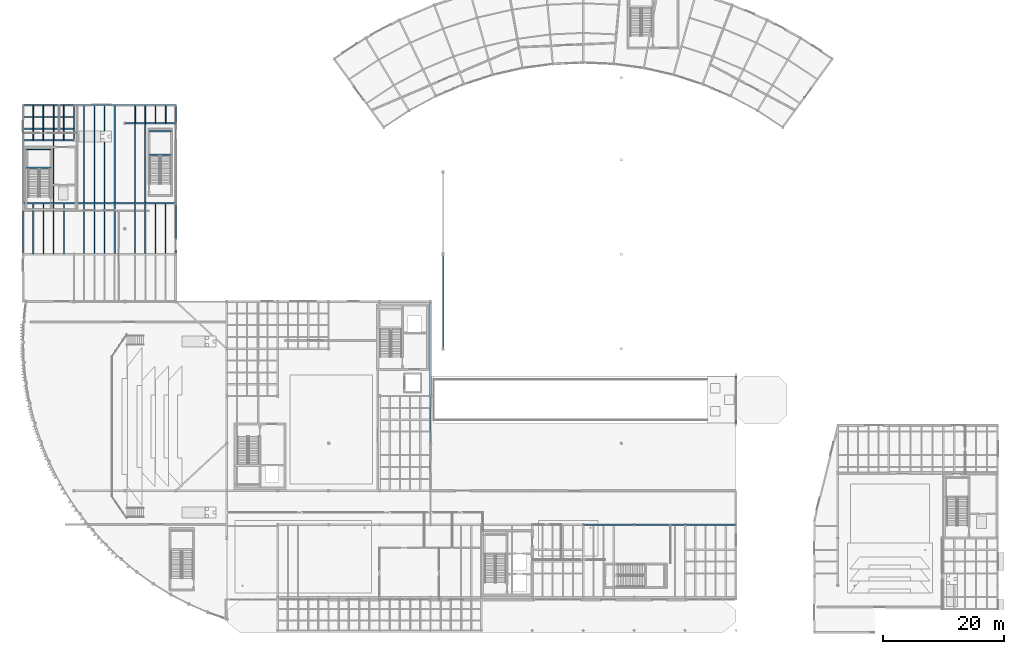
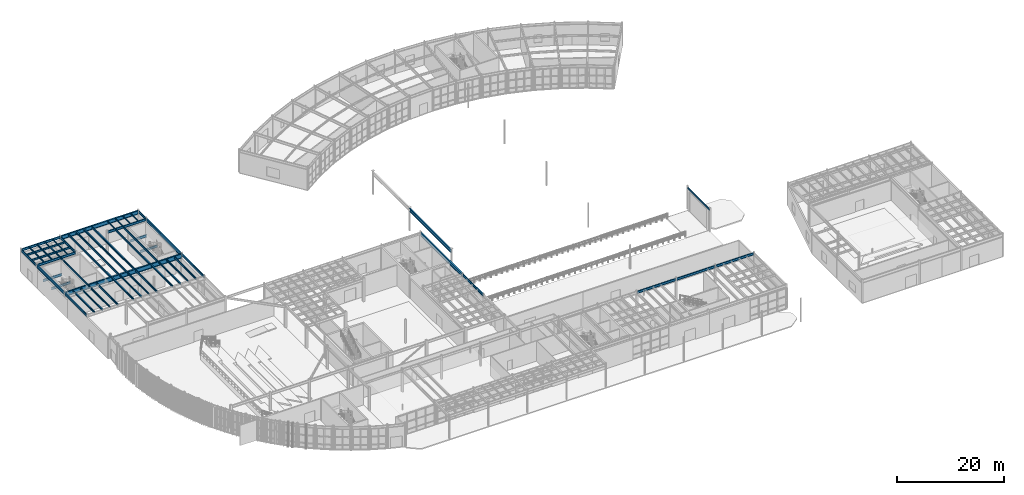
# One storey, part 41 of 87: 52 beams.
"""IFC4 building model written with IfcOpenShell, lengths in metres."""

from ifc_helpers import new_model, si_unit, direction, frame, origin, origin_2d, place, context, subcontext, project, spatial, hollow_rectangle, i_section, extrude, material, material_profile, profile_set, type_object, element, save


model = new_model("IFC4")

# Units and contexts
model_context = context("Model", 3, precision=1e-05, world=origin(), true_north=direction((0.0, 1.0)))
body_context = subcontext(model_context, "Body", "Model", "MODEL_VIEW")
ifc_project = project(units=[si_unit("LENGTHUNIT", "METRE"), si_unit("AREAUNIT", "SQUARE_METRE"), si_unit("VOLUMEUNIT", "CUBIC_METRE"), si_unit("PLANEANGLEUNIT", "RADIAN"), si_unit("MASSUNIT", "GRAM", prefix="KILO")], contexts=[model_context])

# Site, building, storey
site_placement = place(None, origin())
site = spatial("IfcSite", under=ifc_project, at=site_placement, CompositionType="ELEMENT")
building_placement = place(site_placement, origin())
building = spatial("IfcBuilding", under=site, at=building_placement, Name="Selat Folded Stagehouse", CompositionType="ELEMENT")
storey_placement = place(building_placement, origin())
storey = spatial("IfcBuildingStorey", under=building, at=storey_placement, Name="L00", CompositionType="ELEMENT", Elevation=0.0)

# Beams
ifc_material_1 = material(Name="Steel S355", Category="steel")
ifc_material_profile_1 = material_profile(ifc_material_1, i_section(OverallWidth=0.210693359375, OverallDepth=0.53955078125, WebThickness=0.01171875, FlangeThickness=0.018798828125, FilletRadius=0.0126953125, at=origin_2d()), Name="UKB 533x210x109")
ifc_profile_set_1 = profile_set([ifc_material_profile_1], Name="Steel S355")
beam_type_1 = type_object("IfcBeamType", Name="BM-GIRD-533x210x109", PredefinedType="BEAM", material=ifc_profile_set_1)
beam_1_placement = place(storey_placement, frame((0.0, 62.47998046875, 4.900146484375), z_axis=(0.0, 1.0, 0.0), x_axis=(-1.0, 0.0, 0.0)))
element("IfcBeam", 1, at=beam_1_placement, inside=storey, type_object=beam_type_1, Name="L00 primary y-girder 0550", PredefinedType="BEAM", context=body_context, shape_type="SweptSolid", body=[
    extrude(i_section(OverallWidth=0.210693359375, OverallDepth=0.53955078125, WebThickness=0.01171875, FlangeThickness=0.018798828125, FilletRadius=0.0126953125, at=origin_2d()), origin(), (0.0, 0.0, 1.0), 8.239990234375),
])
for number, where, z_axis, x_axis, name in (
    (2, (0.0, 81.280029296875, 4.900146484375), (0.0, 1.0, 0.0), (-1.0, 0.0, 0.0), "L00 primary y-girder 0552"),
    (3, (8.39990234375, 81.280029296875, 4.900146484375), (0.0, 1.0, 0.0), (-1.0, 0.0, 0.0), "L00 primary y-girder 0554"),
):
    element("IfcBeam", number, at=place(storey_placement, frame(where, z_axis=z_axis, x_axis=x_axis)), inside=storey, type_object=beam_type_1, Name=name, PredefinedType="BEAM", context=body_context, shape_type="SweptSolid", body=[
        extrude(i_section(OverallWidth=0.210693359375, OverallDepth=0.53955078125, WebThickness=0.01171875, FlangeThickness=0.018798828125, FilletRadius=0.0126953125, at=origin_2d()), origin(), (0.0, 0.0, 1.0), 5.639892578125),
    ])
beam_2_placement = place(storey_placement, frame((25.199951171875, 62.47998046875, 4.900146484375), z_axis=(0.0, 1.0, 0.0), x_axis=(-1.0, 0.0, 0.0)))
element("IfcBeam", 4, at=beam_2_placement, inside=storey, type_object=beam_type_1, Name="L00 primary y-girder 0556", PredefinedType="BEAM", context=body_context, shape_type="SweptSolid", body=[
    extrude(i_section(OverallWidth=0.210693359375, OverallDepth=0.53955078125, WebThickness=0.01171875, FlangeThickness=0.018798828125, FilletRadius=0.0126953125, at=origin_2d()), origin(), (0.0, 0.0, 1.0), 8.239990234375),
])
beam_3_placement = place(storey_placement, frame((25.199951171875, 84.080078125, 4.900146484375), z_axis=(0.0, 1.0, 0.0), x_axis=(-1.0, 0.0, 0.0)))
element("IfcBeam", 5, at=beam_3_placement, inside=storey, type_object=beam_type_1, Name="L00 primary y-girder 0558", PredefinedType="BEAM", context=body_context, shape_type="SweptSolid", body=[
    extrude(i_section(OverallWidth=0.210693359375, OverallDepth=0.53955078125, WebThickness=0.01171875, FlangeThickness=0.018798828125, FilletRadius=0.0126953125, at=origin_2d()), origin(), (0.0, 0.0, 1.0), 2.83984375),
])
beam_4_placement = place(storey_placement, frame((67.199951171875, 31.280029296875, 4.91015625), z_axis=(0.0, 1.0, 0.0), x_axis=(-1.0, 0.0, 0.0)))
element("IfcBeam", 6, at=beam_4_placement, inside=storey, type_object=beam_type_1, Name="L00 primary y-girder 0575", PredefinedType="BEAM", context=body_context, shape_type="SweptSolid", body=[
    extrude(i_section(OverallWidth=0.210693359375, OverallDepth=0.53955078125, WebThickness=0.01171875, FlangeThickness=0.018798828125, FilletRadius=0.0126953125, at=origin_2d()), origin(), (0.0, 0.0, 1.0), 7.639892578125),
])
ifc_material_profile_2 = material_profile(ifc_material_1, i_section(OverallWidth=0.209228515625, OverallDepth=0.533203125, WebThickness=0.010009765625, FlangeThickness=0.015625, FilletRadius=0.0126953125, at=origin_2d()), Name="UKB 533x210x92")
ifc_profile_set_2 = profile_set([ifc_material_profile_2], Name="Steel S355")
beam_type_2 = type_object("IfcBeamType", Name="BM-GIRD-533x210x92", PredefinedType="BEAM", material=ifc_profile_set_2)
beam_5_placement = place(storey_placement, frame((92.47998046875, 17.800048828125, 4.91357421875), z_axis=(1.0, 0.0, 0.0), x_axis=(0.0, 1.0, 0.0)))
element("IfcBeam", 7, at=beam_5_placement, inside=storey, type_object=beam_type_2, Name="L00 primary x-girder 0516", PredefinedType="BEAM", context=body_context, shape_type="SweptSolid", body=[
    extrude(i_section(OverallWidth=0.209228515625, OverallDepth=0.533203125, WebThickness=0.010009765625, FlangeThickness=0.015625, FilletRadius=0.0126953125, at=origin_2d()), origin(), (0.0, 0.0, 1.0), 8.239990234375),
])
beam_6_placement = place(storey_placement, frame((100.8798828125, 17.800048828125, 4.91357421875), z_axis=(1.0, 0.0, 0.0), x_axis=(0.0, 1.0, 0.0)))
element("IfcBeam", 8, at=beam_6_placement, inside=storey, type_object=beam_type_2, Name="L00 primary x-girder 0517", PredefinedType="BEAM", context=body_context, shape_type="SweptSolid", body=[
    extrude(i_section(OverallWidth=0.209228515625, OverallDepth=0.533203125, WebThickness=0.010009765625, FlangeThickness=0.015625, FilletRadius=0.0126953125, at=origin_2d()), origin(), (0.0, 0.0, 1.0), 8.240234375),
])
for number, where, z_axis, x_axis, name in (
    (9, (109.280029296875, 17.800048828125, 4.91357421875), (1.0, 0.0, 0.0), (0.0, 1.0, 0.0), "L00 primary x-girder 0518"),
    (10, (0.080078125, 81.199951171875, 4.903564453125), (1.0, 0.0, 0.0), (0.0, 1.0, 0.0), "L00 primary x-girder 0546"),
):
    element("IfcBeam", number, at=place(storey_placement, frame(where, z_axis=z_axis, x_axis=x_axis)), inside=storey, type_object=beam_type_2, Name=name, PredefinedType="BEAM", context=body_context, shape_type="SweptSolid", body=[
        extrude(i_section(OverallWidth=0.209228515625, OverallDepth=0.533203125, WebThickness=0.010009765625, FlangeThickness=0.015625, FilletRadius=0.0126953125, at=origin_2d()), origin(), (0.0, 0.0, 1.0), 8.239990234375),
    ])
beam_7_placement = place(storey_placement, frame((16.8798828125, 84.0, 4.903564453125), z_axis=(1.0, 0.0, 0.0), x_axis=(0.0, 1.0, 0.0)))
element("IfcBeam", 11, at=beam_7_placement, inside=storey, type_object=beam_type_2, Name="L00 primary x-girder 0547", PredefinedType="BEAM", context=body_context, shape_type="SweptSolid", body=[
    extrude(i_section(OverallWidth=0.209228515625, OverallDepth=0.533203125, WebThickness=0.010009765625, FlangeThickness=0.015625, FilletRadius=0.0126953125, at=origin_2d()), origin(), (0.0, 0.0, 1.0), 8.240234375),
])
beam_8_placement = place(storey_placement, frame((0.080078125, 87.0, 4.903564453125), z_axis=(1.0, 0.0, 0.0), x_axis=(0.0, 1.0, 0.0)))
element("IfcBeam", 12, at=beam_8_placement, inside=storey, type_object=beam_type_2, Name="L00 primary x-girder 0548", PredefinedType="BEAM", context=body_context, shape_type="SweptSolid", body=[
    extrude(i_section(OverallWidth=0.209228515625, OverallDepth=0.533203125, WebThickness=0.010009765625, FlangeThickness=0.015625, FilletRadius=0.0126953125, at=origin_2d()), origin(), (0.0, 0.0, 1.0), 8.239990234375),
])
for number, where, z_axis, x_axis, name in (
    (13, (0.5, 76.64990234375, 2.2333984375), (1.0, 0.0, 0.0), (0.0, 1.0, 0.0), "L00 ST-05 landing support beam 1"),
    (14, (0.5, 79.669921875, 2.2333984375), (1.0, 0.0, 0.0), (0.0, 1.0, 0.0), "L00 ST-05 landing support beam 2"),
):
    element("IfcBeam", number, at=place(storey_placement, frame(where, z_axis=z_axis, x_axis=x_axis)), inside=storey, type_object=beam_type_2, Name=name, PredefinedType="BEAM", context=body_context, shape_type="SweptSolid", body=[
        extrude(i_section(OverallWidth=0.209228515625, OverallDepth=0.533203125, WebThickness=0.010009765625, FlangeThickness=0.015625, FilletRadius=0.0126953125, at=origin_2d()), origin(), (0.0, 0.0, 1.0), 4.080078125),
    ])
for number, where, z_axis, x_axis, name in (
    (15, (20.780029296875, 78.7900390625, 2.2333984375), (1.0, 0.0, 0.0), (0.0, 1.0, 0.0), "L00 ST-07 landing support beam 1"),
    (16, (20.780029296875, 82.699951171875, 2.2333984375), (1.0, 0.0, 0.0), (0.0, 1.0, 0.0), "L00 ST-07 landing support beam 2"),
):
    element("IfcBeam", number, at=place(storey_placement, frame(where, z_axis=z_axis, x_axis=x_axis)), inside=storey, type_object=beam_type_2, Name=name, PredefinedType="BEAM", context=body_context, shape_type="SweptSolid", body=[
        extrude(i_section(OverallWidth=0.209228515625, OverallDepth=0.533203125, WebThickness=0.010009765625, FlangeThickness=0.015625, FilletRadius=0.0126953125, at=origin_2d()), origin(), (0.0, 0.0, 1.0), 3.739990234375),
    ])
ifc_material_profile_3 = material_profile(ifc_material_1, i_section(OverallWidth=0.230224609375, OverallDepth=0.6171875, WebThickness=0.01318359375, FlangeThickness=0.022216796875, FilletRadius=0.0126953125, at=origin_2d()), Name="UKB 610x229x140")
ifc_profile_set_3 = profile_set([ifc_material_profile_3], Name="Steel S355")
beam_type_3 = type_object("IfcBeamType", Name="BM-GIRD-610x229x140", PredefinedType="BEAM", material=ifc_profile_set_3)
beam_9_placement = place(storey_placement, frame((0.0, 70.8798828125, 4.861328125), z_axis=(0.0, 1.0, 0.0), x_axis=(-1.0, 0.0, 0.0)))
element("IfcBeam", 17, at=beam_9_placement, inside=storey, type_object=beam_type_3, Name="L00 primary y-girder 0551", PredefinedType="BEAM", context=body_context, shape_type="SweptSolid", body=[
    extrude(i_section(OverallWidth=0.230224609375, OverallDepth=0.6171875, WebThickness=0.01318359375, FlangeThickness=0.022216796875, FilletRadius=0.0126953125, at=origin_2d()), origin(), (0.0, 0.0, 1.0), 10.240234375),
])
ifc_material_profile_4 = material_profile(ifc_material_1, i_section(OverallWidth=0.26806640625, OverallDepth=0.769775390625, WebThickness=0.015625, FlangeThickness=0.025390625, FilletRadius=0.0166015625, at=origin_2d()), Name="UKB 762x267x197")
ifc_profile_set_4 = profile_set([ifc_material_profile_4], Name="Steel S355")
beam_type_4 = type_object("IfcBeamType", Name="BM-GIRD-762x267x197", PredefinedType="BEAM", material=ifc_profile_set_4)
beam_10_placement = place(storey_placement, frame((25.199951171875, 70.8798828125, 4.78515625), z_axis=(0.0, 1.0, 0.0), x_axis=(-1.0, 0.0, 0.0)))
element("IfcBeam", 18, at=beam_10_placement, inside=storey, type_object=beam_type_4, Name="L00 primary y-girder 0557", PredefinedType="BEAM", context=body_context, shape_type="SweptSolid", body=[
    extrude(i_section(OverallWidth=0.26806640625, OverallDepth=0.769775390625, WebThickness=0.015625, FlangeThickness=0.025390625, FilletRadius=0.0166015625, at=origin_2d()), origin(), (0.0, 0.0, 1.0), 13.0400390625),
])
beam_11_placement = place(storey_placement, frame((67.199951171875, 39.080078125, 4.795166015625), z_axis=(0.0, 1.0, 0.0), x_axis=(-1.0, 0.0, 0.0)))
element("IfcBeam", 19, at=beam_11_placement, inside=storey, type_object=beam_type_4, Name="L00 primary y-girder 0576", PredefinedType="BEAM", context=body_context, shape_type="SweptSolid", body=[
    extrude(i_section(OverallWidth=0.26806640625, OverallDepth=0.769775390625, WebThickness=0.015625, FlangeThickness=0.025390625, FilletRadius=0.0166015625, at=origin_2d()), origin(), (0.0, 0.0, 1.0), 15.43994140625),
])
beam_12_placement = place(storey_placement, frame((69.300048828125, 46.8798828125, 4.80517578125), z_axis=(0.0, 1.0, 0.0), x_axis=(-1.0, 0.0, 0.0)))
element("IfcBeam", 20, at=beam_12_placement, inside=storey, type_object=beam_type_4, Name="L00 primary y-girder 0577", PredefinedType="BEAM", context=body_context, shape_type="SweptSolid", body=[
    extrude(i_section(OverallWidth=0.26806640625, OverallDepth=0.769775390625, WebThickness=0.015625, FlangeThickness=0.025390625, FilletRadius=0.0166015625, at=origin_2d()), origin(), (0.0, 0.0, 1.0), 15.440185546875),
])
ifc_material_profile_5 = material_profile(ifc_material_1, i_section(OverallWidth=0.293701171875, OverallDepth=0.850830078125, WebThickness=0.01611328125, FlangeThickness=0.02685546875, FilletRadius=0.017822265625, at=origin_2d()), Name="UKB 838x292x226")
ifc_profile_set_5 = profile_set([ifc_material_profile_5], Name="Steel S355")
beam_type_5 = type_object("IfcBeamType", Name="BM-LONG-838x292x226", PredefinedType="BEAM", material=ifc_profile_set_5)
beam_13_placement = place(storey_placement, frame((8.47998046875, 87.0, 4.74462890625), z_axis=(1.0, 0.0, 0.0), x_axis=(0.0, 1.0, 0.0)))
element("IfcBeam", 21, at=beam_13_placement, inside=storey, type_object=beam_type_5, Name="L00 primary x-girder 0549", PredefinedType="BEAM", context=body_context, shape_type="SweptSolid", body=[
    extrude(i_section(OverallWidth=0.293701171875, OverallDepth=0.850830078125, WebThickness=0.01611328125, FlangeThickness=0.02685546875, FilletRadius=0.017822265625, at=origin_2d()), origin(), (0.0, 0.0, 1.0), 16.64013671875),
])
ifc_material_2 = material(Name="Steel S460", Category="steel")
ifc_material_profile_6 = material_profile(ifc_material_2, i_section(OverallWidth=0.302001953125, OverallDepth=1.008056640625, WebThickness=0.02099609375, FlangeThickness=0.033935546875, FilletRadius=0.030029296875, at=origin_2d()), Name="UKB 1016x305x349")
ifc_profile_set_6 = profile_set([ifc_material_profile_6], Name="Steel S460")
beam_type_6 = type_object("IfcBeamType", Name="BM-XFER-1016x305x349", PredefinedType="BEAM", material=ifc_profile_set_6)
beam_14_placement = place(storey_placement, frame((0.080078125, 70.800048828125, 4.666015625), z_axis=(1.0, 0.0, 0.0), x_axis=(0.0, 1.0, 0.0)))
element("IfcBeam", 22, at=beam_14_placement, inside=storey, type_object=beam_type_6, Name="L00 primary x-girder 0545", PredefinedType="BEAM", context=body_context, shape_type="SweptSolid", body=[
    extrude(i_section(OverallWidth=0.302001953125, OverallDepth=1.008056640625, WebThickness=0.02099609375, FlangeThickness=0.033935546875, FilletRadius=0.030029296875, at=origin_2d()), origin(), (0.0, 0.0, 1.0), 25.0400390625),
])
ifc_material_profile_7 = material_profile(ifc_material_1, i_section(OverallWidth=0.14599609375, OverallDepth=0.25146484375, WebThickness=0.006103515625, FlangeThickness=0.008544921875, FilletRadius=0.007568359375, at=origin_2d()), Name="UKB 254x146x31")
ifc_profile_set_7 = profile_set([ifc_material_profile_7], Name="Steel S355")
beam_type_7 = type_object("IfcBeamType", Name="JST-254x146x31", PredefinedType="JOIST", material=ifc_profile_set_7)
for number, where, z_axis, x_axis, name in (
    (23, (18.47998046875, 84.0732421875, 5.044189453125), (0.0, 1.0, 0.0), (-1.0, 0.0, 0.0), "L00 secondary floor joist 0622"),
    (24, (20.159912109375, 84.0732421875, 5.044189453125), (0.0, 1.0, 0.0), (-1.0, 0.0, 0.0), "L00 secondary floor joist 0626"),
    (25, (21.840087890625, 84.0732421875, 5.044189453125), (0.0, 1.0, 0.0), (-1.0, 0.0, 0.0), "L00 secondary floor joist 0629"),
    (26, (23.52001953125, 84.0732421875, 5.044189453125), (0.0, 1.0, 0.0), (-1.0, 0.0, 0.0), "L00 secondary floor joist 0632"),
):
    element("IfcBeam", number, at=place(storey_placement, frame(where, z_axis=z_axis, x_axis=x_axis)), inside=storey, type_object=beam_type_7, Name=name, PredefinedType="JOIST", context=body_context, shape_type="SweptSolid", body=[
        extrude(i_section(OverallWidth=0.14599609375, OverallDepth=0.25146484375, WebThickness=0.006103515625, FlangeThickness=0.008544921875, FilletRadius=0.007568359375, at=origin_2d()), origin(), (0.0, 0.0, 1.0), 2.823974609375),
    ])
ifc_material_profile_8 = material_profile(ifc_material_1, i_section(OverallWidth=0.1650390625, OverallDepth=0.303466796875, WebThickness=0.006103515625, FlangeThickness=0.01025390625, FilletRadius=0.0087890625, at=origin_2d()), Name="UKB 305x165x40")
ifc_profile_set_8 = profile_set([ifc_material_profile_8], Name="Steel S355")
beam_type_8 = type_object("IfcBeamType", Name="JST-305x165x40", PredefinedType="JOIST", material=ifc_profile_set_8)
for number, where, z_axis, x_axis, name in (
    (27, (1.679931640625, 81.273193359375, 5.018310546875), (0.0, 1.0, 0.0), (-1.0, 0.0, 0.0), "L00 secondary floor joist 0599"),
    (28, (3.360107421875, 81.273193359375, 5.018310546875), (0.0, 1.0, 0.0), (-1.0, 0.0, 0.0), "L00 secondary floor joist 0601"),
    (29, (5.0400390625, 81.273193359375, 5.018310546875), (0.0, 1.0, 0.0), (-1.0, 0.0, 0.0), "L00 secondary floor joist 0604"),
    (30, (6.719970703125, 81.273193359375, 5.018310546875), (0.0, 1.0, 0.0), (-1.0, 0.0, 0.0), "L00 secondary floor joist 0606"),
):
    element("IfcBeam", number, at=place(storey_placement, frame(where, z_axis=z_axis, x_axis=x_axis)), inside=storey, type_object=beam_type_8, Name=name, PredefinedType="JOIST", context=body_context, shape_type="SweptSolid", body=[
        extrude(i_section(OverallWidth=0.1650390625, OverallDepth=0.303466796875, WebThickness=0.006103515625, FlangeThickness=0.01025390625, FilletRadius=0.0087890625, at=origin_2d()), origin(), (0.0, 0.0, 1.0), 5.653564453125),
    ])
ifc_material_profile_9 = material_profile(ifc_material_1, i_section(OverallWidth=0.177978515625, OverallDepth=0.406494140625, WebThickness=0.0078125, FlangeThickness=0.0126953125, FilletRadius=0.01025390625, at=origin_2d()), Name="UKB 406x178x60")
ifc_profile_set_9 = profile_set([ifc_material_profile_9], Name="Steel S355")
beam_type_9 = type_object("IfcBeamType", Name="JST-406x178x60", PredefinedType="JOIST", material=ifc_profile_set_9)
for number, where, z_axis, x_axis, name in (
    (31, (1.679931640625, 62.473388671875, 4.966796875), (0.0, 1.0, 0.0), (-1.0, 0.0, 0.0), "L00 secondary floor joist 0598"),
    (32, (3.360107421875, 62.473388671875, 4.966796875), (0.0, 1.0, 0.0), (-1.0, 0.0, 0.0), "L00 secondary floor joist 0600"),
    (33, (5.0400390625, 62.473388671875, 4.966796875), (0.0, 1.0, 0.0), (-1.0, 0.0, 0.0), "L00 secondary floor joist 0602"),
):
    element("IfcBeam", number, at=place(storey_placement, frame(where, z_axis=z_axis, x_axis=x_axis)), inside=storey, type_object=beam_type_9, Name=name, PredefinedType="JOIST", context=body_context, shape_type="SweptSolid", body=[
        extrude(i_section(OverallWidth=0.177978515625, OverallDepth=0.406494140625, WebThickness=0.0078125, FlangeThickness=0.0126953125, FilletRadius=0.01025390625, at=origin_2d()), origin(), (0.0, 0.0, 1.0), 8.220947265625),
    ])
beam_15_placement = place(storey_placement, frame((5.0400390625, 70.90576171875, 4.966796875), z_axis=(0.0, 1.0, 0.0), x_axis=(-1.0, 0.0, 0.0)))
element("IfcBeam", 34, at=beam_15_placement, inside=storey, type_object=beam_type_9, Name="L00 secondary floor joist 0603", PredefinedType="JOIST", context=body_context, shape_type="SweptSolid", body=[
    extrude(i_section(OverallWidth=0.177978515625, OverallDepth=0.406494140625, WebThickness=0.0078125, FlangeThickness=0.0126953125, FilletRadius=0.01025390625, at=origin_2d()), origin(), (0.0, 0.0, 1.0), 10.220947265625),
])
beam_16_placement = place(storey_placement, frame((6.719970703125, 62.473388671875, 4.966796875), z_axis=(0.0, 1.0, 0.0), x_axis=(-1.0, 0.0, 0.0)))
element("IfcBeam", 35, at=beam_16_placement, inside=storey, type_object=beam_type_9, Name="L00 secondary floor joist 0605", PredefinedType="JOIST", context=body_context, shape_type="SweptSolid", body=[
    extrude(i_section(OverallWidth=0.177978515625, OverallDepth=0.406494140625, WebThickness=0.0078125, FlangeThickness=0.0126953125, FilletRadius=0.01025390625, at=origin_2d()), origin(), (0.0, 0.0, 1.0), 8.220947265625),
])
for number, where, z_axis, x_axis, name in (
    (36, (10.080078125, 62.502685546875, 4.966796875), (0.0, 1.0, 0.0), (-1.0, 0.0, 0.0), "L00 secondary floor joist 0608"),
    (37, (11.760009765625, 62.502685546875, 4.966796875), (0.0, 1.0, 0.0), (-1.0, 0.0, 0.0), "L00 secondary floor joist 0611"),
    (38, (13.43994140625, 62.502685546875, 4.966796875), (0.0, 1.0, 0.0), (-1.0, 0.0, 0.0), "L00 secondary floor joist 0614"),
    (39, (15.1201171875, 62.502685546875, 4.966796875), (0.0, 1.0, 0.0), (-1.0, 0.0, 0.0), "L00 secondary floor joist 0617"),
    (40, (18.47998046875, 62.502685546875, 4.966796875), (0.0, 1.0, 0.0), (-1.0, 0.0, 0.0), "L00 secondary floor joist 0620"),
    (41, (20.159912109375, 62.502685546875, 4.966796875), (0.0, 1.0, 0.0), (-1.0, 0.0, 0.0), "L00 secondary floor joist 0624"),
    (42, (21.840087890625, 62.502685546875, 4.966796875), (0.0, 1.0, 0.0), (-1.0, 0.0, 0.0), "L00 secondary floor joist 0628"),
    (43, (23.52001953125, 62.502685546875, 4.966796875), (0.0, 1.0, 0.0), (-1.0, 0.0, 0.0), "L00 secondary floor joist 0631"),
):
    element("IfcBeam", number, at=place(storey_placement, frame(where, z_axis=z_axis, x_axis=x_axis)), inside=storey, type_object=beam_type_9, Name=name, PredefinedType="JOIST", context=body_context, shape_type="SweptSolid", body=[
        extrude(i_section(OverallWidth=0.177978515625, OverallDepth=0.406494140625, WebThickness=0.0078125, FlangeThickness=0.0126953125, FilletRadius=0.01025390625, at=origin_2d()), origin(), (0.0, 0.0, 1.0), 8.191650390625),
    ])
for number, where, z_axis, x_axis, name in (
    (44, (0.07373046875, 83.10009765625, 4.966796875), (1.0, 0.0, 0.0), (0.0, 1.0, 0.0), "L00 secondary x-joist 0748"),
    (45, (0.07373046875, 85.050048828125, 4.966796875), (1.0, 0.0, 0.0), (0.0, 1.0, 0.0), "L00 secondary x-joist 0749"),
):
    element("IfcBeam", number, at=place(storey_placement, frame(where, z_axis=z_axis, x_axis=x_axis)), inside=storey, type_object=beam_type_9, Name=name, PredefinedType="JOIST", context=body_context, shape_type="SweptSolid", body=[
        extrude(i_section(OverallWidth=0.177978515625, OverallDepth=0.406494140625, WebThickness=0.0078125, FlangeThickness=0.0126953125, FilletRadius=0.01025390625, at=origin_2d()), origin(), (0.0, 0.0, 1.0), 8.25244140625),
    ])
ifc_material_profile_10 = material_profile(ifc_material_1, i_section(OverallWidth=0.18994140625, OverallDepth=0.453369140625, WebThickness=0.008544921875, FlangeThickness=0.0126953125, FilletRadius=0.01025390625, at=origin_2d()), Name="UKB 457x191x67")
ifc_profile_set_10 = profile_set([ifc_material_profile_10], Name="Steel S355")
beam_type_10 = type_object("IfcBeamType", Name="JST-457x191x67", PredefinedType="JOIST", material=ifc_profile_set_10)
for number, where, z_axis, x_axis, name in (
    (46, (10.080078125, 70.90576171875, 4.943359375), (0.0, 1.0, 0.0), (-1.0, 0.0, 0.0), "L00 secondary floor joist 0609"),
    (47, (11.760009765625, 70.90576171875, 4.943359375), (0.0, 1.0, 0.0), (-1.0, 0.0, 0.0), "L00 secondary floor joist 0612"),
    (48, (13.43994140625, 70.90576171875, 4.943359375), (0.0, 1.0, 0.0), (-1.0, 0.0, 0.0), "L00 secondary floor joist 0615"),
    (49, (15.1201171875, 70.90576171875, 4.943359375), (0.0, 1.0, 0.0), (-1.0, 0.0, 0.0), "L00 secondary floor joist 0618"),
):
    element("IfcBeam", number, at=place(storey_placement, frame(where, z_axis=z_axis, x_axis=x_axis)), inside=storey, type_object=beam_type_10, Name=name, PredefinedType="JOIST", context=body_context, shape_type="SweptSolid", body=[
        extrude(i_section(OverallWidth=0.18994140625, OverallDepth=0.453369140625, WebThickness=0.008544921875, FlangeThickness=0.0126953125, FilletRadius=0.01025390625, at=origin_2d()), origin(), (0.0, 0.0, 1.0), 15.991455078125),
    ])
for number, where, z_axis, x_axis, name in (
    (50, (18.47998046875, 70.90576171875, 4.943359375), (0.0, 1.0, 0.0), (-1.0, 0.0, 0.0), "L00 secondary floor joist 0621"),
    (51, (20.159912109375, 70.90576171875, 4.943359375), (0.0, 1.0, 0.0), (-1.0, 0.0, 0.0), "L00 secondary floor joist 0625"),
):
    element("IfcBeam", number, at=place(storey_placement, frame(where, z_axis=z_axis, x_axis=x_axis)), inside=storey, type_object=beam_type_10, Name=name, PredefinedType="JOIST", context=body_context, shape_type="SweptSolid", body=[
        extrude(i_section(OverallWidth=0.18994140625, OverallDepth=0.453369140625, WebThickness=0.008544921875, FlangeThickness=0.0126953125, FilletRadius=0.01025390625, at=origin_2d()), origin(), (0.0, 0.0, 1.0), 13.02099609375),
    ])
ifc_material_profile_11 = material_profile(ifc_material_1, hollow_rectangle(XDim=0.14990234375, YDim=0.300048828125, WallThickness=0.010009765625, at=origin_2d()), Name="RHS 300x150x10.0")
ifc_profile_set_11 = profile_set([ifc_material_profile_11], Name="Steel S355")
beam_type_11 = type_object("IfcBeamType", Name="LNT-RHS-300x150", PredefinedType="LINTEL", material=ifc_profile_set_11)
beam_17_placement = place(storey_placement, frame((117.60009765625, 34.25, 4.8798828125), z_axis=(0.0, 1.0, 0.0), x_axis=(-1.0, 0.0, 0.0)))
element("IfcBeam", 52, at=beam_17_placement, inside=storey, type_object=beam_type_11, Name="L00 structural lintel beam 01", PredefinedType="LINTEL", context=body_context, shape_type="SweptSolid", body=[
    extrude(hollow_rectangle(XDim=0.14990234375, YDim=0.300048828125, WallThickness=0.010009765625, at=origin_2d()), origin(), (0.0, 0.0, 1.0), 8.300048828125),
])

save(model, "model.ifc")
